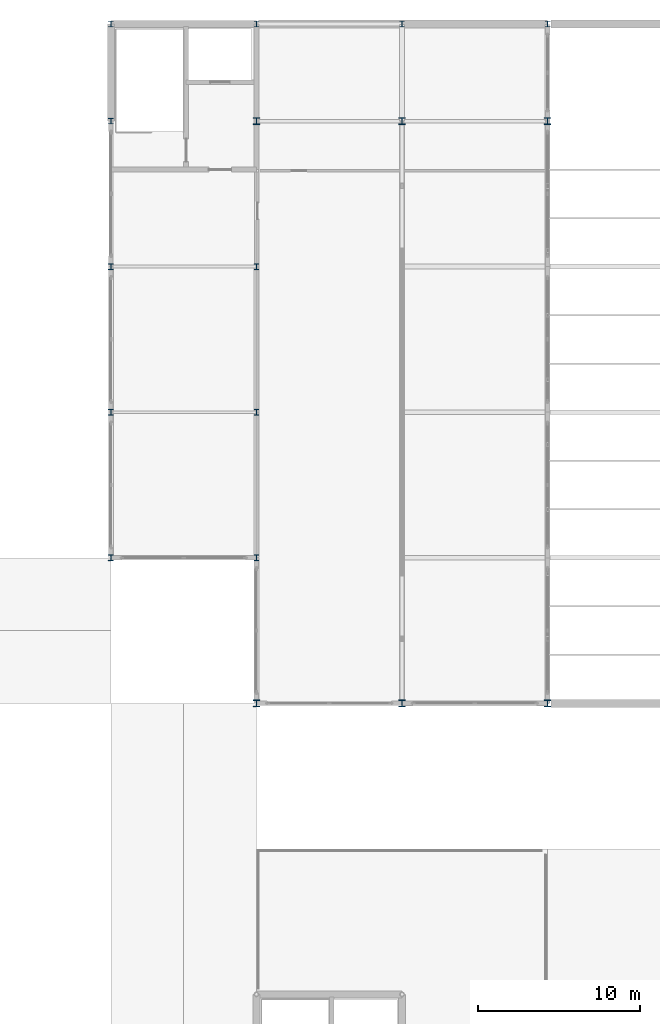
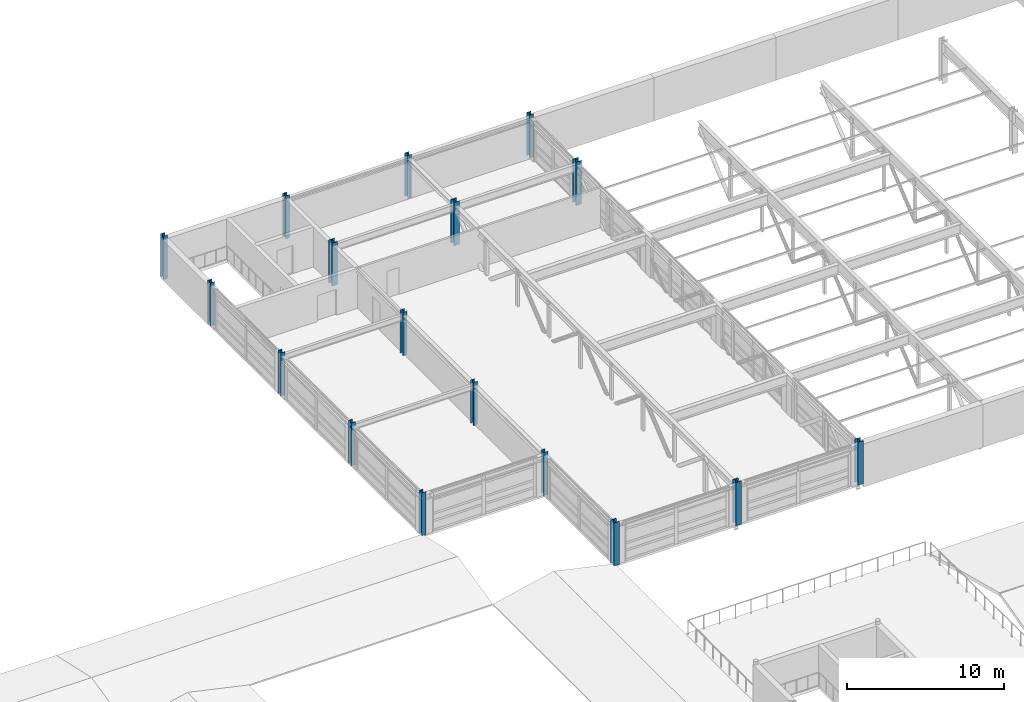
# One storey, part 11 of 91: 17 columns.
"""IFC4 building model written with IfcOpenShell, lengths in metres."""

from ifc_helpers import new_model, si_unit, direction, frame, origin, origin_2d, place, context, subcontext, project, spatial, i_section, extrude, material, material_profile, profile_set, type_object, element, save


model = new_model("IFC4")

# Units and contexts
model_context = context("Model", 3, precision=1e-05, world=origin(), true_north=direction((0.0, 1.0)))
body_context = subcontext(model_context, "Body", "Model", "MODEL_VIEW")
ifc_project = project(units=[si_unit("LENGTHUNIT", "METRE"), si_unit("AREAUNIT", "SQUARE_METRE"), si_unit("VOLUMEUNIT", "CUBIC_METRE"), si_unit("PLANEANGLEUNIT", "RADIAN"), si_unit("MASSUNIT", "GRAM", prefix="KILO")], contexts=[model_context])

# Site, building, storey
site_placement = place(None, origin())
site = spatial("IfcSite", under=ifc_project, at=site_placement, CompositionType="ELEMENT")
building_placement = place(site_placement, origin())
building = spatial("IfcBuilding", under=site, at=building_placement, Name="Palais des Congres Ocreval", CompositionType="ELEMENT")
storey_placement = place(building_placement, frame((0.0, 0.0, 8.159912109375)))
storey = spatial("IfcBuildingStorey", under=building, at=storey_placement, Name="L02", CompositionType="ELEMENT", Elevation=8.159912109375)

# Columns
ifc_material_1 = material(Name="Steel S460", Category="steel")
ifc_material_profile_1 = material_profile(ifc_material_1, i_section(OverallWidth=0.412109375, OverallDepth=0.43505859375, WebThickness=0.027099609375, FlangeThickness=0.0458984375, at=origin_2d()), Name="HD 400x463")
ifc_profile_set_1 = profile_set([ifc_material_profile_1], Name="Steel S460")
column_type_1 = type_object("IfcColumnType", Name="Column HD 400x463 Steel S460", PredefinedType="COLUMN", material=ifc_profile_set_1)
for number, where, z_axis, x_axis, name in (
    (1, (108.0, 72.0, 0.0), (0.0, 0.0, 1.0), (1.0, 0.0, 0.0), "Column C02 L02"),
    (2, (108.0, 108.0, 0.0), (0.0, 0.0, 1.0), (1.0, 0.0, 0.0), "Column C02 L02"),
    (3, (117.0, 72.0, 0.0), (0.0, 0.0, 1.0), (1.0, 0.0, 0.0), "Column C02 L02"),
    (4, (117.0, 108.0, 0.0), (0.0, 0.0, 1.0), (1.0, 0.0, 0.0), "Column C02 L02"),
    (5, (126.0, 72.0, 0.0), (0.0, 0.0, 1.0), (1.0, 0.0, 0.0), "Column C02 L02"),
    (6, (126.0, 108.0, 0.0), (0.0, 0.0, 1.0), (1.0, 0.0, 0.0), "Column C02 L02"),
):
    element("IfcColumn", number, at=place(storey_placement, frame(where, z_axis=z_axis, x_axis=x_axis)), inside=storey, type_object=column_type_1, Name=name, PredefinedType="COLUMN", context=body_context, shape_type="SweptSolid", body=[
        extrude(i_section(OverallWidth=0.412109375, OverallDepth=0.43505859375, WebThickness=0.027099609375, FlangeThickness=0.0458984375, at=origin_2d()), origin(), (0.0, 0.0, 1.0), 3.360107421875),
    ])
ifc_material_2 = material(Name="Steel S355", Category="steel")
ifc_material_profile_2 = material_profile(ifc_material_2, i_section(OverallWidth=0.300048828125, OverallDepth=0.360107421875, WebThickness=0.012451171875, FlangeThickness=0.0224609375, at=origin_2d()), Name="HEB 360")
ifc_profile_set_2 = profile_set([ifc_material_profile_2], Name="Steel S355")
column_type_2 = type_object("IfcColumnType", Name="Column HEB 360 Steel S355", PredefinedType="COLUMN", material=ifc_profile_set_2)
for number, where, z_axis, x_axis, name in (
    (7, (99.0, 81.0, 0.0), (0.0, 0.0, 1.0), (1.0, 0.0, 0.0), "Column C11 L02"),
    (8, (99.0, 90.0, 0.0), (0.0, 0.0, 1.0), (1.0, 0.0, 0.0), "Column C11 L02"),
    (9, (99.0, 99.0, 0.0), (0.0, 0.0, 1.0), (1.0, 0.0, 0.0), "Column C11 L02"),
    (10, (99.0, 108.0, 0.0), (0.0, 0.0, 1.0), (1.0, 0.0, 0.0), "Column C11 L02"),
    (11, (99.0, 114.0, 0.0), (0.0, 0.0, 1.0), (1.0, 0.0, 0.0), "Column C11 L02"),
    (12, (108.0, 81.0, 0.0), (0.0, 0.0, 1.0), (1.0, 0.0, 0.0), "Column C11 L02"),
    (13, (108.0, 90.0, 0.0), (0.0, 0.0, 1.0), (1.0, 0.0, 0.0), "Column C11 L02"),
    (14, (108.0, 99.0, 0.0), (0.0, 0.0, 1.0), (1.0, 0.0, 0.0), "Column C11 L02"),
    (15, (108.0, 114.0, 0.0), (0.0, 0.0, 1.0), (1.0, 0.0, 0.0), "Column C11 L02"),
    (16, (117.0, 114.0, 0.0), (0.0, 0.0, 1.0), (1.0, 0.0, 0.0), "Column C11 L02"),
    (17, (126.0, 114.0, 0.0), (0.0, 0.0, 1.0), (1.0, 0.0, 0.0), "Column C11 L02"),
):
    element("IfcColumn", number, at=place(storey_placement, frame(where, z_axis=z_axis, x_axis=x_axis)), inside=storey, type_object=column_type_2, Name=name, PredefinedType="COLUMN", context=body_context, shape_type="SweptSolid", body=[
        extrude(i_section(OverallWidth=0.300048828125, OverallDepth=0.360107421875, WebThickness=0.012451171875, FlangeThickness=0.0224609375, at=origin_2d()), origin(), (0.0, 0.0, 1.0), 3.360107421875),
    ])

save(model, "model.ifc")
